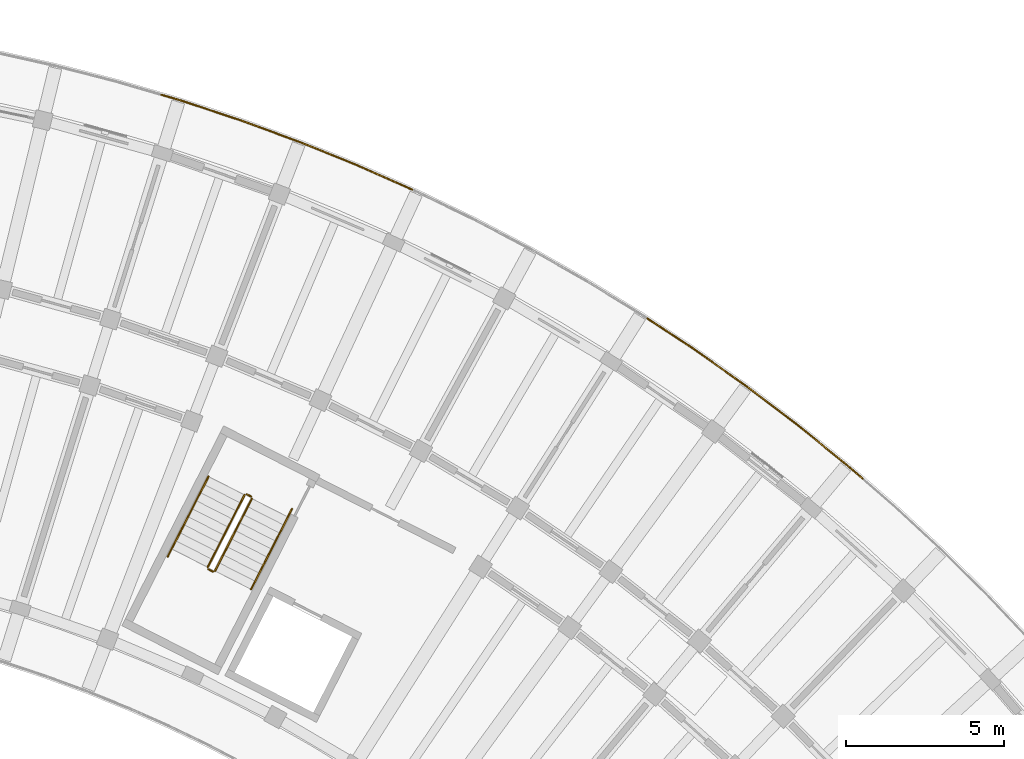
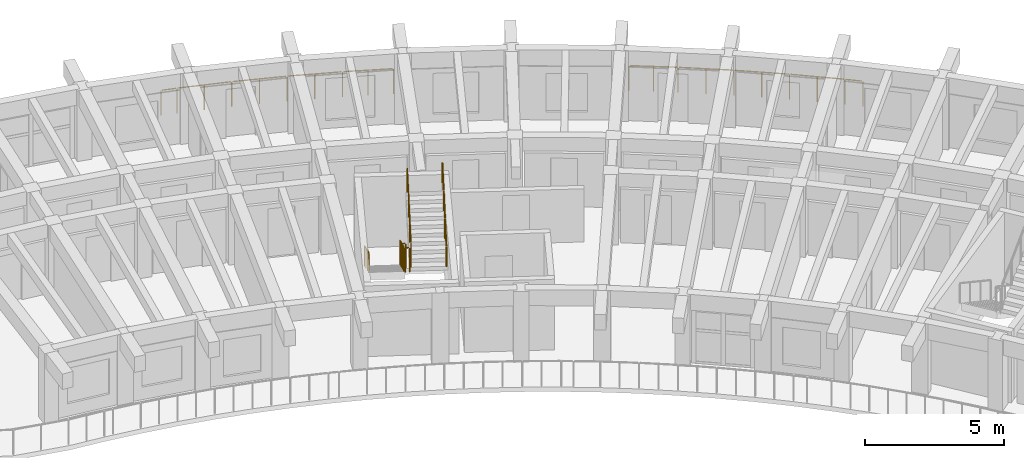
# One storey, part 80 of 81: 12 railings.
"""IFC4 building model written with IfcOpenShell, lengths in metres."""

from ifc_helpers import new_model, si_unit, direction, frame, origin, origin_2d, place, context, subcontext, project, spatial, circle, extrude, material, type_object, element, save


model = new_model("IFC4")

# Units and contexts
model_context = context("Model", 3, precision=1e-05, world=origin(), true_north=direction((0.0, 1.0)))
body_context = subcontext(model_context, "Body", "Model", "MODEL_VIEW")
ifc_project = project(units=[si_unit("LENGTHUNIT", "METRE"), si_unit("AREAUNIT", "SQUARE_METRE"), si_unit("VOLUMEUNIT", "CUBIC_METRE"), si_unit("PLANEANGLEUNIT", "RADIAN"), si_unit("MASSUNIT", "GRAM", prefix="KILO")], contexts=[model_context])

# Site, building, storey
site_placement = place(None, origin())
site = spatial("IfcSite", under=ifc_project, at=site_placement, CompositionType="ELEMENT")
building_placement = place(site_placement, origin())
building = spatial("IfcBuilding", under=site, at=building_placement, Name="Tanwirah Colonnade Gardens", CompositionType="ELEMENT")
storey_placement = place(building_placement, frame((0.0, 0.0, 18.919921875)))
storey = spatial("IfcBuildingStorey", under=building, at=storey_placement, Name="L05", CompositionType="ELEMENT", Elevation=18.919921875)

# Railings
ifc_material_1 = material(Name="Precast concrete C40/50", Category="concrete")
railing_type_1 = type_object("IfcRailingType", Name="BAL-EXT112", PredefinedType="BALUSTRADE", material=ifc_material_1)
railing_1_placement = place(storey_placement, frame((138.708984375, 118.89990234375, 0.0)))
element("IfcRailing", 1, at=railing_1_placement, inside=storey, type_object=railing_type_1, Name="Block B L05 Balcony Ribbon Balustrade 12", PredefinedType="BALUSTRADE", context=body_context, shape_type="SweptSolid", body=[
    extrude(circle(Radius=0.02392578125, at=origin_2d()), frame((0.030029296875, -0.0087890625, 1.09619140625), z_axis=(0.959445381797, -0.281894589072, 0.0), x_axis=(0.281894589072, 0.959445381797, 0.0)), (0.0, 0.0, 1.0), 0.521240234375),
    extrude(circle(Radius=0.02392578125, at=origin_2d()), frame((0.58984375, -0.17431640625, 1.09619140625), z_axis=(0.949537316482, -0.313654084317, 0.0), x_axis=(0.313654084317, 0.949537316482, 0.0)), (0.0, 0.0, 1.0), 1.958984375),
    extrude(circle(Radius=0.02392578125, at=origin_2d()), frame((2.5087890625, -0.809326171875, 1.09619140625), z_axis=(0.938723993457, -0.344669789956, 0.0), x_axis=(0.344669789956, 0.938723993457, 0.0)), (0.0, 0.0, 1.0), 1.958984375),
    extrude(circle(Radius=0.02392578125, at=origin_2d()), frame((4.40625, -1.507080078125, 1.09619140625), z_axis=(0.926784720453, -0.375592973757, 0.0), x_axis=(0.375592973757, 0.926784720453, 0.0)), (0.0, 0.0, 1.0), 1.958984375),
    extrude(circle(Radius=0.02392578125, at=origin_2d()), frame((6.279296875, -2.267333984375, 1.09619140625), z_axis=(0.913952853369, -0.405820381227, 0.0), x_axis=(0.405820381227, 0.913952853369, 0.0)), (0.0, 0.0, 1.0), 1.789306640625),
    extrude(circle(Radius=0.02099609375, at=origin_2d()), origin(), (0.0, 0.0, 1.0), 1.069091796875),
    extrude(circle(Radius=0.02099609375, at=origin_2d()), frame((0.56005859375, -0.16455078125, 0.0)), (0.0, 0.0, 1.0), 1.069091796875),
    extrude(circle(Radius=0.02099609375, at=origin_2d()), frame((1.519775390625, -0.4814453125, 0.0)), (0.0, 0.0, 1.0), 1.069091796875),
    extrude(circle(Radius=0.02099609375, at=origin_2d()), frame((2.4794921875, -0.798583984375, 0.0)), (0.0, 0.0, 1.0), 1.069091796875),
    extrude(circle(Radius=0.02099609375, at=origin_2d()), frame((3.42822265625, -1.14697265625, 0.0)), (0.0, 0.0, 1.0), 1.069091796875),
    extrude(circle(Radius=0.02099609375, at=origin_2d()), frame((4.377197265625, -1.495361328125, 0.0)), (0.0, 0.0, 1.0), 1.069091796875),
    extrude(circle(Radius=0.02099609375, at=origin_2d()), frame((5.31396484375, -1.875, 0.0)), (0.0, 0.0, 1.0), 1.069091796875),
    extrude(circle(Radius=0.02099609375, at=origin_2d()), frame((6.250732421875, -2.254638671875, 0.0)), (0.0, 0.0, 1.0), 1.069091796875),
    extrude(circle(Radius=0.02099609375, at=origin_2d()), frame((7.096923828125, -2.63037109375, 0.0)), (0.0, 0.0, 1.0), 1.069091796875),
    extrude(circle(Radius=0.02099609375, at=origin_2d()), frame((7.943115234375, -3.006103515625, 0.0)), (0.0, 0.0, 1.0), 1.069091796875),
])
railing_2_placement = place(storey_placement, frame((154.10107421875, 111.814208984375, 0.0)))
element("IfcRailing", 2, at=railing_2_placement, inside=storey, type_object=railing_type_1, Name="Block B L05 Balcony Ribbon Balustrade 14", PredefinedType="BALUSTRADE", context=body_context, shape_type="SweptSolid", body=[
    extrude(circle(Radius=0.02392578125, at=origin_2d()), frame((0.026123046875, -0.01708984375, 1.09619140625), z_axis=(0.834955335446, -0.550317715334, 0.0), x_axis=(0.550317715334, 0.834955335446, 0.0)), (0.0, 0.0, 1.0), 1.714599609375),
    extrude(circle(Radius=0.02392578125, at=origin_2d()), frame((1.509521484375, -0.99609375, 1.09619140625), z_axis=(0.816344803849, -0.577564854565, 0.0), x_axis=(0.577564854565, 0.816344803849, 0.0)), (0.0, 0.0, 1.0), 1.958740234375),
    extrude(circle(Radius=0.02392578125, at=origin_2d()), frame((3.158935546875, -2.164306640625, 1.09619140625), z_axis=(0.796887753746, -0.604127393792, 0.0), x_axis=(0.604127393792, 0.796887753746, 0.0)), (0.0, 0.0, 1.0), 1.958984375),
    extrude(circle(Radius=0.02392578125, at=origin_2d()), frame((4.76904296875, -3.386474609375, 1.09619140625), z_axis=(0.776549722569, -0.630055972417, 0.0), x_axis=(0.630055972417, 0.776549722569, 0.0)), (0.0, 0.0, 1.0), 1.958984375),
    extrude(circle(Radius=0.02392578125, at=origin_2d()), frame((6.33837890625, -4.660888671875, 1.09619140625), z_axis=(0.755371030703, -0.65529734165, 0.0), x_axis=(0.65529734165, 0.755371030703, 0.0)), (0.0, 0.0, 1.0), 0.59619140625),
    extrude(circle(Radius=0.02099609375, at=origin_2d()), origin(), (0.0, 0.0, 1.0), 1.069091796875),
    extrude(circle(Radius=0.02099609375, at=origin_2d()), frame((0.741943359375, -0.489013671875, 0.0)), (0.0, 0.0, 1.0), 1.069091796875),
    extrude(circle(Radius=0.02099609375, at=origin_2d()), frame((1.48388671875, -0.97802734375, 0.0)), (0.0, 0.0, 1.0), 1.069091796875),
    extrude(circle(Radius=0.02099609375, at=origin_2d()), frame((2.30908203125, -1.561767578125, 0.0)), (0.0, 0.0, 1.0), 1.069091796875),
    extrude(circle(Radius=0.02099609375, at=origin_2d()), frame((3.134033203125, -2.1455078125, 0.0)), (0.0, 0.0, 1.0), 1.069091796875),
    extrude(circle(Radius=0.02099609375, at=origin_2d()), frame((3.939453125, -2.756103515625, 0.0)), (0.0, 0.0, 1.0), 1.069091796875),
    extrude(circle(Radius=0.02099609375, at=origin_2d()), frame((4.744873046875, -3.36669921875, 0.0)), (0.0, 0.0, 1.0), 1.069091796875),
    extrude(circle(Radius=0.02099609375, at=origin_2d()), frame((5.52978515625, -4.00341796875, 0.0)), (0.0, 0.0, 1.0), 1.069091796875),
    extrude(circle(Radius=0.02099609375, at=origin_2d()), frame((6.314697265625, -4.640380859375, 0.0)), (0.0, 0.0, 1.0), 1.069091796875),
    extrude(circle(Radius=0.02099609375, at=origin_2d()), frame((6.812255859375, -5.072021484375, 0.0)), (0.0, 0.0, 1.0), 1.069091796875),
])
ifc_material_2 = material(Name="Powder-coated galvanized steel", Category="steel")
railing_type_2 = type_object("IfcRailingType", Name="GRD-ST110", PredefinedType="GUARDRAIL", material=ifc_material_2)
railing_3_placement = place(storey_placement, frame((141.344970703125, 106.230712890625, 0.16796875)))
element("IfcRailing", 3, at=railing_3_placement, inside=storey, type_object=railing_type_2, Name="L05 ST-B2 stair guard 1", PredefinedType="GUARDRAIL", context=body_context, shape_type="SweptSolid", body=[
    extrude(circle(Radius=0.02392578125, at=origin_2d()), frame((-0.01220703125, -0.02392578125, 1.092041015625), z_axis=(-0.391106001368, -0.767535278576, 0.507863851672), x_axis=(0.890993730975, -0.45401560696, 0.0)), (0.0, 0.0, 1.0), 2.9150390625),
    extrude(circle(Radius=0.02099609375, at=origin_2d()), origin(), (0.0, 0.0, 1.0), 1.049072265625),
    extrude(circle(Radius=0.02099609375, at=origin_2d()), frame((-0.38818359375, -0.76171875, 0.504150390625)), (0.0, 0.0, 1.0), 1.049072265625),
    extrude(circle(Radius=0.02099609375, at=origin_2d()), frame((-0.7763671875, -1.523681640625, 1.008056640625)), (0.0, 0.0, 1.0), 1.049072265625),
    extrude(circle(Radius=0.02099609375, at=origin_2d()), frame((-1.16455078125, -2.285400390625, 1.51220703125)), (0.0, 0.0, 1.0), 1.049072265625),
])
railing_4_placement = place(storey_placement, frame((140.202392578125, 103.8779296875, 1.68017578125)))
element("IfcRailing", 4, at=railing_4_placement, inside=storey, type_object=railing_type_2, Name="L05 ST-B2 stair guard 2", PredefinedType="GUARDRAIL", context=body_context, shape_type="SweptSolid", body=[
    extrude(circle(Radius=0.02392578125, at=origin_2d()), frame((0.02783203125, -0.01416015625, 1.076171875), z_axis=(0.891353773095, -0.453308340084, 0.0), x_axis=(0.453308340084, 0.891353773095, 0.0)), (0.0, 0.0, 1.0), 0.097412109375),
    extrude(circle(Radius=0.02099609375, at=origin_2d()), origin(), (0.0, 0.0, 1.0), 1.049072265625),
    extrude(circle(Radius=0.02099609375, at=origin_2d()), frame((0.142578125, -0.072509765625, 0.0)), (0.0, 0.0, 1.0), 1.049072265625),
])
railing_5_placement = place(storey_placement, frame((140.412109375, 103.8271484375, 1.84814453125)))
element("IfcRailing", 5, at=railing_5_placement, inside=storey, type_object=railing_type_2, Name="L05 ST-B2 stair guard 3", PredefinedType="GUARDRAIL", context=body_context, shape_type="SweptSolid", body=[
    extrude(circle(Radius=0.02392578125, at=origin_2d()), frame((0.01220703125, 0.02392578125, 1.092041015625), z_axis=(0.3911222872, 0.767567239095, 0.507803003067), x_axis=(-0.890993730975, 0.45401560696, 0.0)), (0.0, 0.0, 1.0), 2.9150390625),
    extrude(circle(Radius=0.02099609375, at=origin_2d()), origin(), (0.0, 0.0, 1.0), 1.049072265625),
    extrude(circle(Radius=0.02099609375, at=origin_2d()), frame((0.38818359375, 0.76171875, 0.50390625)), (0.0, 0.0, 1.0), 1.049072265625),
    extrude(circle(Radius=0.02099609375, at=origin_2d()), frame((0.7763671875, 1.523681640625, 1.008056640625)), (0.0, 0.0, 1.0), 1.049072265625),
    extrude(circle(Radius=0.02099609375, at=origin_2d()), frame((1.16455078125, 2.285400390625, 1.511962890625)), (0.0, 0.0, 1.0), 1.049072265625),
])
railing_6_placement = place(storey_placement, frame((141.412109375, 106.25244140625, 0.0)))
element("IfcRailing", 6, at=railing_6_placement, inside=storey, type_object=railing_type_2, Name="L05 ST-B2 stair guard 4", PredefinedType="GUARDRAIL", context=body_context, shape_type="SweptSolid", body=[
    extrude(circle(Radius=0.02392578125, at=origin_2d()), frame((0.02783203125, -0.01416015625, 1.076171875), z_axis=(0.891353773095, -0.453308340084, 0.0), x_axis=(0.453308340084, 0.891353773095, 0.0)), (0.0, 0.0, 1.0), 0.097412109375),
    extrude(circle(Radius=0.02099609375, at=origin_2d()), origin(), (0.0, 0.0, 1.0), 1.049072265625),
    extrude(circle(Radius=0.02099609375, at=origin_2d()), frame((0.142578125, -0.072509765625, 0.0)), (0.0, 0.0, 1.0), 1.049072265625),
])
ifc_material_3 = material(Name="Brushed bronze stainless steel", Category="steel")
railing_type_3 = type_object("IfcRailingType", Name="HR-ST090", PredefinedType="HANDRAIL", material=ifc_material_3)
railing_7_placement = place(storey_placement, frame((140.204345703125, 106.811767578125, 0.16796875)))
element("IfcRailing", 7, at=railing_7_placement, inside=storey, type_object=railing_type_3, Name="L05 ST-B2 stair handrail 1", PredefinedType="HANDRAIL", context=body_context, shape_type="SweptSolid", body=[
    extrude(circle(Radius=0.02392578125, at=origin_2d()), frame((-0.01220703125, -0.02392578125, 0.891845703125), z_axis=(-0.389886268615, -0.765422249879, 0.511974097915), x_axis=(0.891061070925, -0.453883429839, 0.0)), (0.0, 0.0, 1.0), 1.043212890625),
    extrude(circle(Radius=0.02099609375, at=origin_2d()), origin(), (0.0, 0.0, 1.0), 0.848876953125),
    extrude(circle(Radius=0.02099609375, at=origin_2d()), frame((-0.43115234375, -0.846435546875, 0.566162109375)), (0.0, 0.0, 1.0), 0.848876953125),
])
railing_8_placement = place(storey_placement, frame((139.773193359375, 105.96533203125, 0.734130859375)))
element("IfcRailing", 8, at=railing_8_placement, inside=storey, type_object=railing_type_3, Name="L05 ST-B2 stair handrail 2", PredefinedType="HANDRAIL", context=body_context, shape_type="SweptSolid", body=[
    extrude(circle(Radius=0.02392578125, at=origin_2d()), frame((-0.01220703125, -0.02392578125, 0.891845703125), z_axis=(-0.390117538533, -0.765442844423, 0.51176709356), x_axis=(0.890957114254, -0.454087459154, 0.0)), (0.0, 0.0, 1.0), 1.043212890625),
    extrude(circle(Radius=0.02099609375, at=origin_2d()), origin(), (0.0, 0.0, 1.0), 0.848876953125),
    extrude(circle(Radius=0.02099609375, at=origin_2d()), frame((-0.431396484375, -0.846435546875, 0.56591796875)), (0.0, 0.0, 1.0), 0.848876953125),
])
railing_9_placement = place(storey_placement, frame((139.341796875, 105.118896484375, 1.300048828125)))
element("IfcRailing", 9, at=railing_9_placement, inside=storey, type_object=railing_type_3, Name="L05 ST-B2 stair handrail 3", PredefinedType="HANDRAIL", context=body_context, shape_type="SweptSolid", body=[
    extrude(circle(Radius=0.02392578125, at=origin_2d()), frame((-0.01220703125, -0.02392578125, 0.891845703125), z_axis=(-0.38993033558, -0.765508761867, 0.511811165275), x_axis=(0.891061070925, -0.453883429839, 0.0)), (0.0, 0.0, 1.0), 1.043212890625),
    extrude(circle(Radius=0.02099609375, at=origin_2d()), origin(), (0.0, 0.0, 1.0), 0.848876953125),
    extrude(circle(Radius=0.02099609375, at=origin_2d()), frame((-0.43115234375, -0.846435546875, 0.56591796875)), (0.0, 0.0, 1.0), 0.848876953125),
])
for number, where, name in (
    (10, (141.552490234375, 103.24609375, 1.84814453125), "L05 ST-B2 stair handrail 4"),
    (11, (141.98388671875, 104.092529296875, 2.4140625), "L05 ST-B2 stair handrail 5"),
):
    element("IfcRailing", number, at=place(storey_placement, frame(where)), inside=storey, type_object=railing_type_3, Name=name, PredefinedType="HANDRAIL", context=body_context, shape_type="SweptSolid", body=[
        extrude(circle(Radius=0.02392578125, at=origin_2d()), frame((0.01220703125, 0.02392578125, 0.891845703125), z_axis=(0.390117538533, 0.765442844423, 0.51176709356), x_axis=(-0.890957114254, 0.454087459154, 0.0)), (0.0, 0.0, 1.0), 1.043212890625),
        extrude(circle(Radius=0.02099609375, at=origin_2d()), origin(), (0.0, 0.0, 1.0), 0.848876953125),
        extrude(circle(Radius=0.02099609375, at=origin_2d()), frame((0.431396484375, 0.846435546875, 0.56591796875)), (0.0, 0.0, 1.0), 0.848876953125),
    ])
railing_10_placement = place(storey_placement, frame((142.415283203125, 104.93896484375, 2.97998046875)))
element("IfcRailing", 12, at=railing_10_placement, inside=storey, type_object=railing_type_3, Name="L05 ST-B2 stair handrail 6", PredefinedType="HANDRAIL", context=body_context, shape_type="SweptSolid", body=[
    extrude(circle(Radius=0.02392578125, at=origin_2d()), frame((0.01220703125, 0.02392578125, 0.891845703125), z_axis=(0.389886268615, 0.765422249879, 0.511974097915), x_axis=(-0.891061070925, 0.453883429839, 0.0)), (0.0, 0.0, 1.0), 1.043212890625),
    extrude(circle(Radius=0.02099609375, at=origin_2d()), origin(), (0.0, 0.0, 1.0), 0.848876953125),
    extrude(circle(Radius=0.02099609375, at=origin_2d()), frame((0.43115234375, 0.846435546875, 0.566162109375)), (0.0, 0.0, 1.0), 0.848876953125),
])

save(model, "model.ifc")
